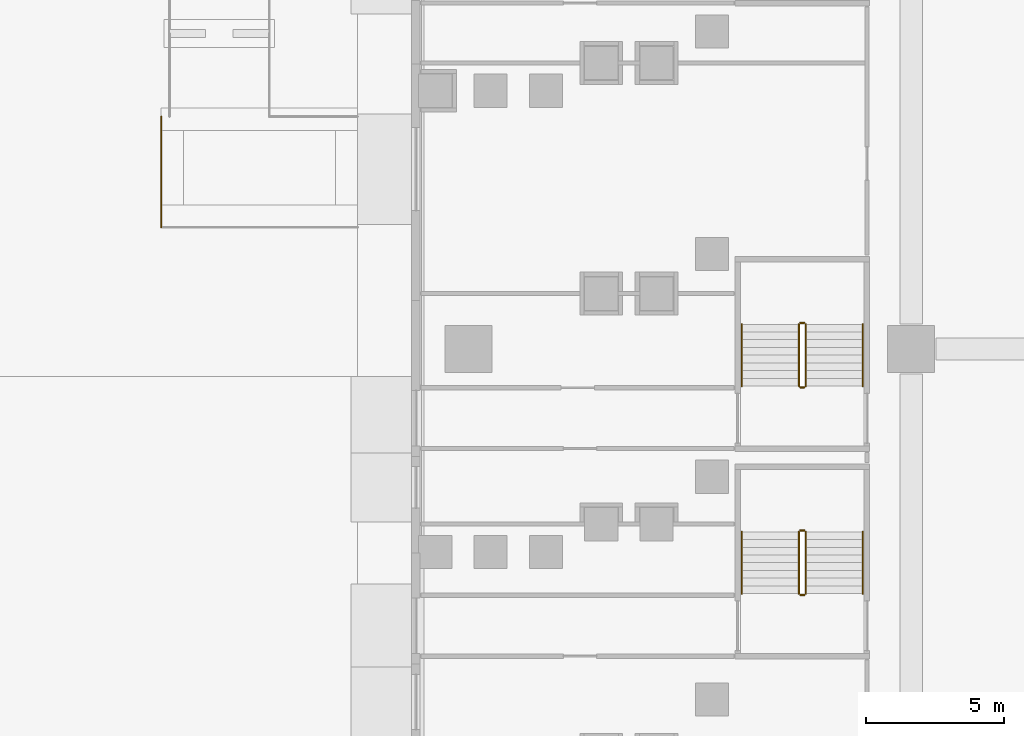
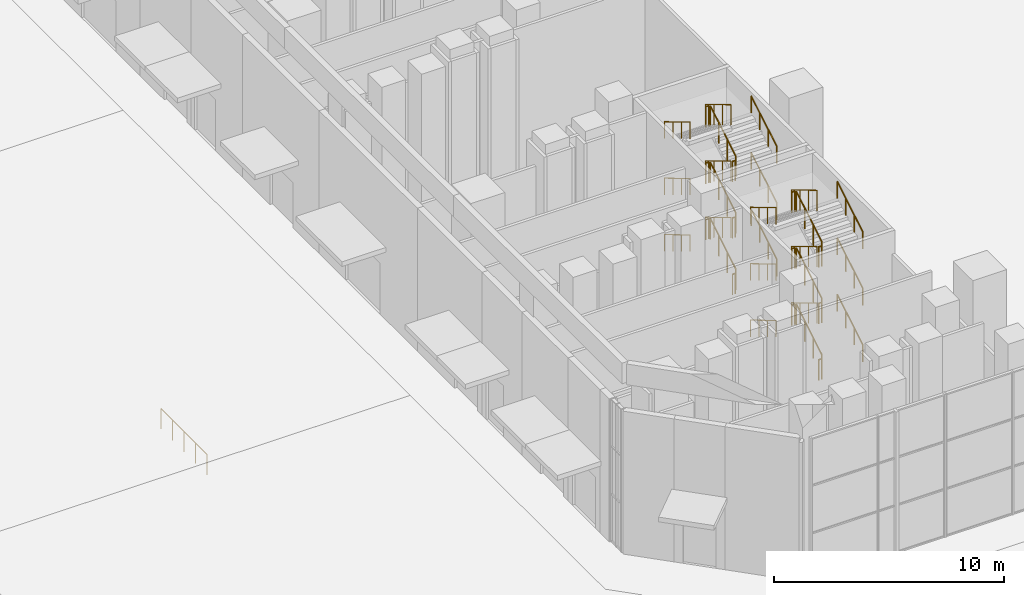
# One storey, part 36 of 51: 37 railings.
"""IFC4 building model written with IfcOpenShell, lengths in metres."""

from ifc_helpers import new_model, si_unit, direction, frame, origin, origin_2d, place, context, subcontext, project, spatial, circle, extrude, material, type_object, element, save


model = new_model("IFC4")

# Units and contexts
model_context = context("Model", 3, precision=1e-05, world=origin(), true_north=direction((0.0, 1.0)))
body_context = subcontext(model_context, "Body", "Model", "MODEL_VIEW")
ifc_project = project(units=[si_unit("LENGTHUNIT", "METRE"), si_unit("AREAUNIT", "SQUARE_METRE"), si_unit("VOLUMEUNIT", "CUBIC_METRE"), si_unit("PLANEANGLEUNIT", "RADIAN"), si_unit("MASSUNIT", "GRAM", prefix="KILO")], contexts=[model_context])

# Site, building, storey
site_placement = place(None, origin())
site = spatial("IfcSite", under=ifc_project, at=site_placement, CompositionType="ELEMENT")
building_placement = place(site_placement, origin())
building = spatial("IfcBuilding", under=site, at=building_placement, Name="Calabash Gate Tower", CompositionType="ELEMENT")
storey_placement = place(building_placement, origin())
storey = spatial("IfcBuildingStorey", under=building, at=storey_placement, Name="L00", CompositionType="ELEMENT", Elevation=0.0)

# Railings
ifc_material_1 = material(Name="Galvanised steel balusters", Category="steel")
railing_type_1 = type_object("IfcRailingType", Name="Ramp guard RG1100", PredefinedType="GUARDRAIL", material=ifc_material_1)
railing_1_placement = place(storey_placement, frame((-59.10009765625, -19.60009765625, -5.0)))
element("IfcRailing", 1, at=railing_1_placement, inside=storey, type_object=railing_type_1, Name="Exit Ramp landing guard", PredefinedType="GUARDRAIL", context=body_context, shape_type="SweptSolid", body=[
    extrude(circle(Radius=0.02392578125, at=origin_2d()), frame((0.0, 0.0, 1.076171875), z_axis=(0.0, 1.0, 0.0), x_axis=(-1.0, 0.0, 0.0)), (0.0, 0.0, 1.0), 4.0),
    extrude(circle(Radius=0.02099609375, at=origin_2d()), origin(), (0.0, 0.0, 1.0), 1.052001953125),
    extrude(circle(Radius=0.02099609375, at=origin_2d()), frame((0.0, 1.0, 0.0)), (0.0, 0.0, 1.0), 1.052001953125),
    extrude(circle(Radius=0.02099609375, at=origin_2d()), frame((0.0, 2.0, 0.0)), (0.0, 0.0, 1.0), 1.052001953125),
    extrude(circle(Radius=0.02099609375, at=origin_2d()), frame((0.0, 3.0, 0.0)), (0.0, 0.0, 1.0), 1.052001953125),
    extrude(circle(Radius=0.02099609375, at=origin_2d()), frame((0.0, 4.0, 0.0)), (0.0, 0.0, 1.0), 1.052001953125),
])
ifc_material_2 = material(Name="Black powder-coated steel balusters", Category="steel")
railing_type_2 = type_object("IfcRailingType", Name="Stair guard RL1100", PredefinedType="GUARDRAIL", material=ifc_material_2)
railing_2_placement = place(storey_placement, frame((-35.81005859375, -32.840087890625, 0.166748046875)))
element("IfcRailing", 2, at=railing_2_placement, inside=storey, type_object=railing_type_2, Name="L00 PS1 stair guard 1", PredefinedType="GUARDRAIL", context=body_context, shape_type="SweptSolid", body=[
    extrude(circle(Radius=0.02392578125, at=origin_2d()), frame((0.0, 0.0, 1.076171875), z_axis=(0.0, 0.8585185817, 0.512782453753), x_axis=(-1.0, 0.0, 0.0)), (0.0, 0.0, 1.0), 2.60009765625),
    extrude(circle(Radius=0.02099609375, at=origin_2d()), origin(), (0.0, 0.0, 1.0), 1.052001953125),
    extrude(circle(Radius=0.02099609375, at=origin_2d()), frame((0.0, 0.744140625, 0.4443359375)), (0.0, 0.0, 1.0), 1.052001953125),
    extrude(circle(Radius=0.02099609375, at=origin_2d()), frame((0.0, 1.488037109375, 0.888916015625)), (0.0, 0.0, 1.0), 1.052001953125),
    extrude(circle(Radius=0.02099609375, at=origin_2d()), frame((0.0, 2.232177734375, 1.333251953125)), (0.0, 0.0, 1.0), 1.052001953125),
])
railing_3_placement = place(storey_placement, frame((-35.860107421875, -30.55810546875, 1.5)))
element("IfcRailing", 3, at=railing_3_placement, inside=storey, type_object=railing_type_2, Name="L00 PS1 stair guard 2", PredefinedType="GUARDRAIL", context=body_context, shape_type="SweptSolid", body=[
    extrude(circle(Radius=0.02392578125, at=origin_2d()), frame((0.0, 0.0, 1.076171875), z_axis=(-1.0, 0.0, 0.0), x_axis=(0.0, -1.0, 0.0)), (0.0, 0.0, 1.0), 0.14990234375),
    extrude(circle(Radius=0.02099609375, at=origin_2d()), origin(), (0.0, 0.0, 1.0), 1.052001953125),
    extrude(circle(Radius=0.02099609375, at=origin_2d()), frame((-0.14990234375, 0.0, 0.0)), (0.0, 0.0, 1.0), 1.052001953125),
])
railing_4_placement = place(storey_placement, frame((-36.06005859375, -30.60791015625, 1.666748046875)))
element("IfcRailing", 4, at=railing_4_placement, inside=storey, type_object=railing_type_2, Name="L00 PS1 stair guard 3", PredefinedType="GUARDRAIL", context=body_context, shape_type="SweptSolid", body=[
    extrude(circle(Radius=0.02392578125, at=origin_2d()), frame((0.0, 0.0, 1.076171875), z_axis=(0.0, -0.8585185817, 0.512782453753), x_axis=(1.0, 0.0, 0.0)), (0.0, 0.0, 1.0), 2.60009765625),
    extrude(circle(Radius=0.02099609375, at=origin_2d()), origin(), (0.0, 0.0, 1.0), 1.052001953125),
    extrude(circle(Radius=0.02099609375, at=origin_2d()), frame((0.0, -0.744140625, 0.4443359375)), (0.0, 0.0, 1.0), 1.052001953125),
    extrude(circle(Radius=0.02099609375, at=origin_2d()), frame((0.0, -1.488037109375, 0.888916015625)), (0.0, 0.0, 1.0), 1.052001953125),
    extrude(circle(Radius=0.02099609375, at=origin_2d()), frame((0.0, -2.232177734375, 1.333251953125)), (0.0, 0.0, 1.0), 1.052001953125),
])
railing_5_placement = place(storey_placement, frame((-35.860107421875, -32.889892578125, 3.0)))
element("IfcRailing", 5, at=railing_5_placement, inside=storey, type_object=railing_type_2, Name="L00 PS1 stair guard 4", PredefinedType="GUARDRAIL", context=body_context, shape_type="SweptSolid", body=[
    extrude(circle(Radius=0.02392578125, at=origin_2d()), frame((0.0, 0.0, 1.076171875), z_axis=(-1.0, 0.0, 0.0), x_axis=(0.0, -1.0, 0.0)), (0.0, 0.0, 1.0), 0.14990234375),
    extrude(circle(Radius=0.02099609375, at=origin_2d()), origin(), (0.0, 0.0, 1.0), 1.052001953125),
    extrude(circle(Radius=0.02099609375, at=origin_2d()), frame((-0.14990234375, 0.0, 0.0)), (0.0, 0.0, 1.0), 1.052001953125),
])
railing_6_placement = place(storey_placement, frame((-35.81005859375, -32.840087890625, 3.166748046875)))
element("IfcRailing", 6, at=railing_6_placement, inside=storey, type_object=railing_type_2, Name="L00 PS1 stair guard 5", PredefinedType="GUARDRAIL", context=body_context, shape_type="SweptSolid", body=[
    extrude(circle(Radius=0.02392578125, at=origin_2d()), frame((0.0, 0.0, 1.076171875), z_axis=(0.0, 0.8585185817, 0.512782453753), x_axis=(-1.0, 0.0, 0.0)), (0.0, 0.0, 1.0), 2.60009765625),
    extrude(circle(Radius=0.02099609375, at=origin_2d()), origin(), (0.0, 0.0, 1.0), 1.052001953125),
    extrude(circle(Radius=0.02099609375, at=origin_2d()), frame((0.0, 0.744140625, 0.4443359375)), (0.0, 0.0, 1.0), 1.052001953125),
    extrude(circle(Radius=0.02099609375, at=origin_2d()), frame((0.0, 1.488037109375, 0.888916015625)), (0.0, 0.0, 1.0), 1.052001953125),
    extrude(circle(Radius=0.02099609375, at=origin_2d()), frame((0.0, 2.232177734375, 1.333251953125)), (0.0, 0.0, 1.0), 1.052001953125),
])
railing_7_placement = place(storey_placement, frame((-35.860107421875, -30.55810546875, 4.5)))
element("IfcRailing", 7, at=railing_7_placement, inside=storey, type_object=railing_type_2, Name="L00 PS1 stair guard 6", PredefinedType="GUARDRAIL", context=body_context, shape_type="SweptSolid", body=[
    extrude(circle(Radius=0.02392578125, at=origin_2d()), frame((0.0, 0.0, 1.076171875), z_axis=(-1.0, 0.0, 0.0), x_axis=(0.0, -1.0, 0.0)), (0.0, 0.0, 1.0), 0.14990234375),
    extrude(circle(Radius=0.02099609375, at=origin_2d()), origin(), (0.0, 0.0, 1.0), 1.052001953125),
    extrude(circle(Radius=0.02099609375, at=origin_2d()), frame((-0.14990234375, 0.0, 0.0)), (0.0, 0.0, 1.0), 1.052001953125),
])
railing_8_placement = place(storey_placement, frame((-36.06005859375, -30.60791015625, 4.666748046875)))
element("IfcRailing", 8, at=railing_8_placement, inside=storey, type_object=railing_type_2, Name="L00 PS1 stair guard 7", PredefinedType="GUARDRAIL", context=body_context, shape_type="SweptSolid", body=[
    extrude(circle(Radius=0.02392578125, at=origin_2d()), frame((0.0, 0.0, 1.076171875), z_axis=(0.0, -0.8585185817, 0.512782453753), x_axis=(1.0, 0.0, 0.0)), (0.0, 0.0, 1.0), 2.60009765625),
    extrude(circle(Radius=0.02099609375, at=origin_2d()), origin(), (0.0, 0.0, 1.0), 1.052001953125),
    extrude(circle(Radius=0.02099609375, at=origin_2d()), frame((0.0, -0.744140625, 0.4443359375)), (0.0, 0.0, 1.0), 1.052001953125),
    extrude(circle(Radius=0.02099609375, at=origin_2d()), frame((0.0, -1.488037109375, 0.888916015625)), (0.0, 0.0, 1.0), 1.052001953125),
    extrude(circle(Radius=0.02099609375, at=origin_2d()), frame((0.0, -2.232177734375, 1.333251953125)), (0.0, 0.0, 1.0), 1.052001953125),
])
railing_9_placement = place(storey_placement, frame((-35.860107421875, -32.889892578125, 6.0)))
element("IfcRailing", 9, at=railing_9_placement, inside=storey, type_object=railing_type_2, Name="L00 PS1 stair guard 8", PredefinedType="GUARDRAIL", context=body_context, shape_type="SweptSolid", body=[
    extrude(circle(Radius=0.02392578125, at=origin_2d()), frame((0.0, 0.0, 1.076171875), z_axis=(-1.0, 0.0, 0.0), x_axis=(0.0, -1.0, 0.0)), (0.0, 0.0, 1.0), 0.14990234375),
    extrude(circle(Radius=0.02099609375, at=origin_2d()), origin(), (0.0, 0.0, 1.0), 1.052001953125),
    extrude(circle(Radius=0.02099609375, at=origin_2d()), frame((-0.14990234375, 0.0, 0.0)), (0.0, 0.0, 1.0), 1.052001953125),
])
railing_10_placement = place(storey_placement, frame((-35.81005859375, -32.840087890625, 6.166748046875)))
element("IfcRailing", 10, at=railing_10_placement, inside=storey, type_object=railing_type_2, Name="L00 PS1 stair guard 9", PredefinedType="GUARDRAIL", context=body_context, shape_type="SweptSolid", body=[
    extrude(circle(Radius=0.02392578125, at=origin_2d()), frame((0.0, 0.0, 1.076171875), z_axis=(0.0, 0.8585185817, 0.512782453753), x_axis=(-1.0, 0.0, 0.0)), (0.0, 0.0, 1.0), 2.60009765625),
    extrude(circle(Radius=0.02099609375, at=origin_2d()), origin(), (0.0, 0.0, 1.0), 1.052001953125),
    extrude(circle(Radius=0.02099609375, at=origin_2d()), frame((0.0, 0.744140625, 0.4443359375)), (0.0, 0.0, 1.0), 1.052001953125),
    extrude(circle(Radius=0.02099609375, at=origin_2d()), frame((0.0, 1.488037109375, 0.888916015625)), (0.0, 0.0, 1.0), 1.052001953125),
    extrude(circle(Radius=0.02099609375, at=origin_2d()), frame((0.0, 2.232177734375, 1.333251953125)), (0.0, 0.0, 1.0), 1.052001953125),
])
railing_11_placement = place(storey_placement, frame((-35.860107421875, -30.55810546875, 7.5)))
element("IfcRailing", 11, at=railing_11_placement, inside=storey, type_object=railing_type_2, Name="L00 PS1 stair guard 10", PredefinedType="GUARDRAIL", context=body_context, shape_type="SweptSolid", body=[
    extrude(circle(Radius=0.02392578125, at=origin_2d()), frame((0.0, 0.0, 1.076171875), z_axis=(-1.0, 0.0, 0.0), x_axis=(0.0, -1.0, 0.0)), (0.0, 0.0, 1.0), 0.14990234375),
    extrude(circle(Radius=0.02099609375, at=origin_2d()), origin(), (0.0, 0.0, 1.0), 1.052001953125),
    extrude(circle(Radius=0.02099609375, at=origin_2d()), frame((-0.14990234375, 0.0, 0.0)), (0.0, 0.0, 1.0), 1.052001953125),
])
railing_12_placement = place(storey_placement, frame((-36.06005859375, -30.60791015625, 7.666748046875)))
element("IfcRailing", 12, at=railing_12_placement, inside=storey, type_object=railing_type_2, Name="L00 PS1 stair guard 11", PredefinedType="GUARDRAIL", context=body_context, shape_type="SweptSolid", body=[
    extrude(circle(Radius=0.02392578125, at=origin_2d()), frame((0.0, 0.0, 1.076171875), z_axis=(0.0, -0.8585185817, 0.512782453753), x_axis=(1.0, 0.0, 0.0)), (0.0, 0.0, 1.0), 2.60009765625),
    extrude(circle(Radius=0.02099609375, at=origin_2d()), origin(), (0.0, 0.0, 1.0), 1.052001953125),
    extrude(circle(Radius=0.02099609375, at=origin_2d()), frame((0.0, -0.744140625, 0.4443359375)), (0.0, 0.0, 1.0), 1.052001953125),
    extrude(circle(Radius=0.02099609375, at=origin_2d()), frame((0.0, -1.488037109375, 0.888916015625)), (0.0, 0.0, 1.0), 1.052001953125),
    extrude(circle(Radius=0.02099609375, at=origin_2d()), frame((0.0, -2.232177734375, 1.333251953125)), (0.0, 0.0, 1.0), 1.052001953125),
])
railing_13_placement = place(storey_placement, frame((-35.860107421875, -32.889892578125, 0.0)))
element("IfcRailing", 13, at=railing_13_placement, inside=storey, type_object=railing_type_2, Name="L00 PS1 stair guard 12", PredefinedType="GUARDRAIL", context=body_context, shape_type="SweptSolid", body=[
    extrude(circle(Radius=0.02392578125, at=origin_2d()), frame((0.0, 0.0, 1.076171875), z_axis=(-1.0, 0.0, 0.0), x_axis=(0.0, -1.0, 0.0)), (0.0, 0.0, 1.0), 0.14990234375),
    extrude(circle(Radius=0.02099609375, at=origin_2d()), origin(), (0.0, 0.0, 1.0), 1.052001953125),
    extrude(circle(Radius=0.02099609375, at=origin_2d()), frame((-0.14990234375, 0.0, 0.0)), (0.0, 0.0, 1.0), 1.052001953125),
])
railing_14_placement = place(storey_placement, frame((-35.81005859375, -25.340087890625, 0.166748046875)))
element("IfcRailing", 14, at=railing_14_placement, inside=storey, type_object=railing_type_2, Name="L00 PS2 stair guard 1", PredefinedType="GUARDRAIL", context=body_context, shape_type="SweptSolid", body=[
    extrude(circle(Radius=0.02392578125, at=origin_2d()), frame((0.0, 0.0, 1.076171875), z_axis=(0.0, 0.8585185817, 0.512782453753), x_axis=(-1.0, 0.0, 0.0)), (0.0, 0.0, 1.0), 2.60009765625),
    extrude(circle(Radius=0.02099609375, at=origin_2d()), origin(), (0.0, 0.0, 1.0), 1.052001953125),
    extrude(circle(Radius=0.02099609375, at=origin_2d()), frame((0.0, 0.744140625, 0.4443359375)), (0.0, 0.0, 1.0), 1.052001953125),
    extrude(circle(Radius=0.02099609375, at=origin_2d()), frame((0.0, 1.488037109375, 0.888916015625)), (0.0, 0.0, 1.0), 1.052001953125),
    extrude(circle(Radius=0.02099609375, at=origin_2d()), frame((0.0, 2.232177734375, 1.333251953125)), (0.0, 0.0, 1.0), 1.052001953125),
])
railing_15_placement = place(storey_placement, frame((-35.860107421875, -23.05810546875, 1.5)))
element("IfcRailing", 15, at=railing_15_placement, inside=storey, type_object=railing_type_2, Name="L00 PS2 stair guard 2", PredefinedType="GUARDRAIL", context=body_context, shape_type="SweptSolid", body=[
    extrude(circle(Radius=0.02392578125, at=origin_2d()), frame((0.0, 0.0, 1.076171875), z_axis=(-1.0, 0.0, 0.0), x_axis=(0.0, -1.0, 0.0)), (0.0, 0.0, 1.0), 0.14990234375),
    extrude(circle(Radius=0.02099609375, at=origin_2d()), origin(), (0.0, 0.0, 1.0), 1.052001953125),
    extrude(circle(Radius=0.02099609375, at=origin_2d()), frame((-0.14990234375, 0.0, 0.0)), (0.0, 0.0, 1.0), 1.052001953125),
])
railing_16_placement = place(storey_placement, frame((-36.06005859375, -23.10791015625, 1.666748046875)))
element("IfcRailing", 16, at=railing_16_placement, inside=storey, type_object=railing_type_2, Name="L00 PS2 stair guard 3", PredefinedType="GUARDRAIL", context=body_context, shape_type="SweptSolid", body=[
    extrude(circle(Radius=0.02392578125, at=origin_2d()), frame((0.0, 0.0, 1.076171875), z_axis=(0.0, -0.8585185817, 0.512782453753), x_axis=(1.0, 0.0, 0.0)), (0.0, 0.0, 1.0), 2.60009765625),
    extrude(circle(Radius=0.02099609375, at=origin_2d()), origin(), (0.0, 0.0, 1.0), 1.052001953125),
    extrude(circle(Radius=0.02099609375, at=origin_2d()), frame((0.0, -0.744140625, 0.4443359375)), (0.0, 0.0, 1.0), 1.052001953125),
    extrude(circle(Radius=0.02099609375, at=origin_2d()), frame((0.0, -1.488037109375, 0.888916015625)), (0.0, 0.0, 1.0), 1.052001953125),
    extrude(circle(Radius=0.02099609375, at=origin_2d()), frame((0.0, -2.232177734375, 1.333251953125)), (0.0, 0.0, 1.0), 1.052001953125),
])
railing_17_placement = place(storey_placement, frame((-35.860107421875, -25.389892578125, 3.0)))
element("IfcRailing", 17, at=railing_17_placement, inside=storey, type_object=railing_type_2, Name="L00 PS2 stair guard 4", PredefinedType="GUARDRAIL", context=body_context, shape_type="SweptSolid", body=[
    extrude(circle(Radius=0.02392578125, at=origin_2d()), frame((0.0, 0.0, 1.076171875), z_axis=(-1.0, 0.0, 0.0), x_axis=(0.0, -1.0, 0.0)), (0.0, 0.0, 1.0), 0.14990234375),
    extrude(circle(Radius=0.02099609375, at=origin_2d()), origin(), (0.0, 0.0, 1.0), 1.052001953125),
    extrude(circle(Radius=0.02099609375, at=origin_2d()), frame((-0.14990234375, 0.0, 0.0)), (0.0, 0.0, 1.0), 1.052001953125),
])
railing_18_placement = place(storey_placement, frame((-35.81005859375, -25.340087890625, 3.166748046875)))
element("IfcRailing", 18, at=railing_18_placement, inside=storey, type_object=railing_type_2, Name="L00 PS2 stair guard 5", PredefinedType="GUARDRAIL", context=body_context, shape_type="SweptSolid", body=[
    extrude(circle(Radius=0.02392578125, at=origin_2d()), frame((0.0, 0.0, 1.076171875), z_axis=(0.0, 0.8585185817, 0.512782453753), x_axis=(-1.0, 0.0, 0.0)), (0.0, 0.0, 1.0), 2.60009765625),
    extrude(circle(Radius=0.02099609375, at=origin_2d()), origin(), (0.0, 0.0, 1.0), 1.052001953125),
    extrude(circle(Radius=0.02099609375, at=origin_2d()), frame((0.0, 0.744140625, 0.4443359375)), (0.0, 0.0, 1.0), 1.052001953125),
    extrude(circle(Radius=0.02099609375, at=origin_2d()), frame((0.0, 1.488037109375, 0.888916015625)), (0.0, 0.0, 1.0), 1.052001953125),
    extrude(circle(Radius=0.02099609375, at=origin_2d()), frame((0.0, 2.232177734375, 1.333251953125)), (0.0, 0.0, 1.0), 1.052001953125),
])
railing_19_placement = place(storey_placement, frame((-35.860107421875, -23.05810546875, 4.5)))
element("IfcRailing", 19, at=railing_19_placement, inside=storey, type_object=railing_type_2, Name="L00 PS2 stair guard 6", PredefinedType="GUARDRAIL", context=body_context, shape_type="SweptSolid", body=[
    extrude(circle(Radius=0.02392578125, at=origin_2d()), frame((0.0, 0.0, 1.076171875), z_axis=(-1.0, 0.0, 0.0), x_axis=(0.0, -1.0, 0.0)), (0.0, 0.0, 1.0), 0.14990234375),
    extrude(circle(Radius=0.02099609375, at=origin_2d()), origin(), (0.0, 0.0, 1.0), 1.052001953125),
    extrude(circle(Radius=0.02099609375, at=origin_2d()), frame((-0.14990234375, 0.0, 0.0)), (0.0, 0.0, 1.0), 1.052001953125),
])
railing_20_placement = place(storey_placement, frame((-36.06005859375, -23.10791015625, 4.666748046875)))
element("IfcRailing", 20, at=railing_20_placement, inside=storey, type_object=railing_type_2, Name="L00 PS2 stair guard 7", PredefinedType="GUARDRAIL", context=body_context, shape_type="SweptSolid", body=[
    extrude(circle(Radius=0.02392578125, at=origin_2d()), frame((0.0, 0.0, 1.076171875), z_axis=(0.0, -0.8585185817, 0.512782453753), x_axis=(1.0, 0.0, 0.0)), (0.0, 0.0, 1.0), 2.60009765625),
    extrude(circle(Radius=0.02099609375, at=origin_2d()), origin(), (0.0, 0.0, 1.0), 1.052001953125),
    extrude(circle(Radius=0.02099609375, at=origin_2d()), frame((0.0, -0.744140625, 0.4443359375)), (0.0, 0.0, 1.0), 1.052001953125),
    extrude(circle(Radius=0.02099609375, at=origin_2d()), frame((0.0, -1.488037109375, 0.888916015625)), (0.0, 0.0, 1.0), 1.052001953125),
    extrude(circle(Radius=0.02099609375, at=origin_2d()), frame((0.0, -2.232177734375, 1.333251953125)), (0.0, 0.0, 1.0), 1.052001953125),
])
railing_21_placement = place(storey_placement, frame((-35.860107421875, -25.389892578125, 6.0)))
element("IfcRailing", 21, at=railing_21_placement, inside=storey, type_object=railing_type_2, Name="L00 PS2 stair guard 8", PredefinedType="GUARDRAIL", context=body_context, shape_type="SweptSolid", body=[
    extrude(circle(Radius=0.02392578125, at=origin_2d()), frame((0.0, 0.0, 1.076171875), z_axis=(-1.0, 0.0, 0.0), x_axis=(0.0, -1.0, 0.0)), (0.0, 0.0, 1.0), 0.14990234375),
    extrude(circle(Radius=0.02099609375, at=origin_2d()), origin(), (0.0, 0.0, 1.0), 1.052001953125),
    extrude(circle(Radius=0.02099609375, at=origin_2d()), frame((-0.14990234375, 0.0, 0.0)), (0.0, 0.0, 1.0), 1.052001953125),
])
railing_22_placement = place(storey_placement, frame((-35.81005859375, -25.340087890625, 6.166748046875)))
element("IfcRailing", 22, at=railing_22_placement, inside=storey, type_object=railing_type_2, Name="L00 PS2 stair guard 9", PredefinedType="GUARDRAIL", context=body_context, shape_type="SweptSolid", body=[
    extrude(circle(Radius=0.02392578125, at=origin_2d()), frame((0.0, 0.0, 1.076171875), z_axis=(0.0, 0.8585185817, 0.512782453753), x_axis=(-1.0, 0.0, 0.0)), (0.0, 0.0, 1.0), 2.60009765625),
    extrude(circle(Radius=0.02099609375, at=origin_2d()), origin(), (0.0, 0.0, 1.0), 1.052001953125),
    extrude(circle(Radius=0.02099609375, at=origin_2d()), frame((0.0, 0.744140625, 0.4443359375)), (0.0, 0.0, 1.0), 1.052001953125),
    extrude(circle(Radius=0.02099609375, at=origin_2d()), frame((0.0, 1.488037109375, 0.888916015625)), (0.0, 0.0, 1.0), 1.052001953125),
    extrude(circle(Radius=0.02099609375, at=origin_2d()), frame((0.0, 2.232177734375, 1.333251953125)), (0.0, 0.0, 1.0), 1.052001953125),
])
railing_23_placement = place(storey_placement, frame((-35.860107421875, -23.05810546875, 7.5)))
element("IfcRailing", 23, at=railing_23_placement, inside=storey, type_object=railing_type_2, Name="L00 PS2 stair guard 10", PredefinedType="GUARDRAIL", context=body_context, shape_type="SweptSolid", body=[
    extrude(circle(Radius=0.02392578125, at=origin_2d()), frame((0.0, 0.0, 1.076171875), z_axis=(-1.0, 0.0, 0.0), x_axis=(0.0, -1.0, 0.0)), (0.0, 0.0, 1.0), 0.14990234375),
    extrude(circle(Radius=0.02099609375, at=origin_2d()), origin(), (0.0, 0.0, 1.0), 1.052001953125),
    extrude(circle(Radius=0.02099609375, at=origin_2d()), frame((-0.14990234375, 0.0, 0.0)), (0.0, 0.0, 1.0), 1.052001953125),
])
railing_24_placement = place(storey_placement, frame((-36.06005859375, -23.10791015625, 7.666748046875)))
element("IfcRailing", 24, at=railing_24_placement, inside=storey, type_object=railing_type_2, Name="L00 PS2 stair guard 11", PredefinedType="GUARDRAIL", context=body_context, shape_type="SweptSolid", body=[
    extrude(circle(Radius=0.02392578125, at=origin_2d()), frame((0.0, 0.0, 1.076171875), z_axis=(0.0, -0.8585185817, 0.512782453753), x_axis=(1.0, 0.0, 0.0)), (0.0, 0.0, 1.0), 2.60009765625),
    extrude(circle(Radius=0.02099609375, at=origin_2d()), origin(), (0.0, 0.0, 1.0), 1.052001953125),
    extrude(circle(Radius=0.02099609375, at=origin_2d()), frame((0.0, -0.744140625, 0.4443359375)), (0.0, 0.0, 1.0), 1.052001953125),
    extrude(circle(Radius=0.02099609375, at=origin_2d()), frame((0.0, -1.488037109375, 0.888916015625)), (0.0, 0.0, 1.0), 1.052001953125),
    extrude(circle(Radius=0.02099609375, at=origin_2d()), frame((0.0, -2.232177734375, 1.333251953125)), (0.0, 0.0, 1.0), 1.052001953125),
])
railing_25_placement = place(storey_placement, frame((-35.860107421875, -25.389892578125, 0.0)))
element("IfcRailing", 25, at=railing_25_placement, inside=storey, type_object=railing_type_2, Name="L00 PS2 stair guard 12", PredefinedType="GUARDRAIL", context=body_context, shape_type="SweptSolid", body=[
    extrude(circle(Radius=0.02392578125, at=origin_2d()), frame((0.0, 0.0, 1.076171875), z_axis=(-1.0, 0.0, 0.0), x_axis=(0.0, -1.0, 0.0)), (0.0, 0.0, 1.0), 0.14990234375),
    extrude(circle(Radius=0.02099609375, at=origin_2d()), origin(), (0.0, 0.0, 1.0), 1.052001953125),
    extrude(circle(Radius=0.02099609375, at=origin_2d()), frame((-0.14990234375, 0.0, 0.0)), (0.0, 0.0, 1.0), 1.052001953125),
])
ifc_material_3 = material(Name="Black powder-coated steel tube 48 mm", Category="steel")
railing_type_3 = type_object("IfcRailingType", Name="Stair handrail RL900", PredefinedType="HANDRAIL", material=ifc_material_3)
railing_26_placement = place(storey_placement, frame((-33.75, -32.840087890625, 0.166748046875)))
element("IfcRailing", 26, at=railing_26_placement, inside=storey, type_object=railing_type_3, Name="L00 PS1 stair handrail 1", PredefinedType="HANDRAIL", context=body_context, shape_type="SweptSolid", body=[
    extrude(circle(Radius=0.02392578125, at=origin_2d()), frame((0.0, 0.0, 0.8759765625), z_axis=(0.0, 0.8585185817, 0.512782453753), x_axis=(-1.0, 0.0, 0.0)), (0.0, 0.0, 1.0), 2.60009765625),
    extrude(circle(Radius=0.02099609375, at=origin_2d()), origin(), (0.0, 0.0, 1.0), 0.851806640625),
    extrude(circle(Radius=0.02099609375, at=origin_2d()), frame((0.0, 0.744140625, 0.4443359375)), (0.0, 0.0, 1.0), 0.851806640625),
    extrude(circle(Radius=0.02099609375, at=origin_2d()), frame((0.0, 1.488037109375, 0.888916015625)), (0.0, 0.0, 1.0), 0.851806640625),
    extrude(circle(Radius=0.02099609375, at=origin_2d()), frame((0.0, 2.232177734375, 1.333251953125)), (0.0, 0.0, 1.0), 0.851806640625),
])
railing_27_placement = place(storey_placement, frame((-38.1201171875, -30.60791015625, 1.666748046875)))
element("IfcRailing", 27, at=railing_27_placement, inside=storey, type_object=railing_type_3, Name="L00 PS1 stair handrail 2", PredefinedType="HANDRAIL", context=body_context, shape_type="SweptSolid", body=[
    extrude(circle(Radius=0.02392578125, at=origin_2d()), frame((0.0, 0.0, 0.8759765625), z_axis=(0.0, -0.8585185817, 0.512782453753), x_axis=(1.0, 0.0, 0.0)), (0.0, 0.0, 1.0), 2.60009765625),
    extrude(circle(Radius=0.02099609375, at=origin_2d()), origin(), (0.0, 0.0, 1.0), 0.851806640625),
    extrude(circle(Radius=0.02099609375, at=origin_2d()), frame((0.0, -0.744140625, 0.4443359375)), (0.0, 0.0, 1.0), 0.851806640625),
    extrude(circle(Radius=0.02099609375, at=origin_2d()), frame((0.0, -1.488037109375, 0.888916015625)), (0.0, 0.0, 1.0), 0.851806640625),
    extrude(circle(Radius=0.02099609375, at=origin_2d()), frame((0.0, -2.232177734375, 1.333251953125)), (0.0, 0.0, 1.0), 0.851806640625),
])
railing_28_placement = place(storey_placement, frame((-33.75, -32.840087890625, 3.166748046875)))
element("IfcRailing", 28, at=railing_28_placement, inside=storey, type_object=railing_type_3, Name="L00 PS1 stair handrail 3", PredefinedType="HANDRAIL", context=body_context, shape_type="SweptSolid", body=[
    extrude(circle(Radius=0.02392578125, at=origin_2d()), frame((0.0, 0.0, 0.8759765625), z_axis=(0.0, 0.8585185817, 0.512782453753), x_axis=(-1.0, 0.0, 0.0)), (0.0, 0.0, 1.0), 2.60009765625),
    extrude(circle(Radius=0.02099609375, at=origin_2d()), origin(), (0.0, 0.0, 1.0), 0.851806640625),
    extrude(circle(Radius=0.02099609375, at=origin_2d()), frame((0.0, 0.744140625, 0.4443359375)), (0.0, 0.0, 1.0), 0.851806640625),
    extrude(circle(Radius=0.02099609375, at=origin_2d()), frame((0.0, 1.488037109375, 0.888916015625)), (0.0, 0.0, 1.0), 0.851806640625),
    extrude(circle(Radius=0.02099609375, at=origin_2d()), frame((0.0, 2.232177734375, 1.333251953125)), (0.0, 0.0, 1.0), 0.851806640625),
])
railing_29_placement = place(storey_placement, frame((-38.1201171875, -30.60791015625, 4.666748046875)))
element("IfcRailing", 29, at=railing_29_placement, inside=storey, type_object=railing_type_3, Name="L00 PS1 stair handrail 4", PredefinedType="HANDRAIL", context=body_context, shape_type="SweptSolid", body=[
    extrude(circle(Radius=0.02392578125, at=origin_2d()), frame((0.0, 0.0, 0.8759765625), z_axis=(0.0, -0.8585185817, 0.512782453753), x_axis=(1.0, 0.0, 0.0)), (0.0, 0.0, 1.0), 2.60009765625),
    extrude(circle(Radius=0.02099609375, at=origin_2d()), origin(), (0.0, 0.0, 1.0), 0.851806640625),
    extrude(circle(Radius=0.02099609375, at=origin_2d()), frame((0.0, -0.744140625, 0.4443359375)), (0.0, 0.0, 1.0), 0.851806640625),
    extrude(circle(Radius=0.02099609375, at=origin_2d()), frame((0.0, -1.488037109375, 0.888916015625)), (0.0, 0.0, 1.0), 0.851806640625),
    extrude(circle(Radius=0.02099609375, at=origin_2d()), frame((0.0, -2.232177734375, 1.333251953125)), (0.0, 0.0, 1.0), 0.851806640625),
])
railing_30_placement = place(storey_placement, frame((-33.75, -32.840087890625, 6.166748046875)))
element("IfcRailing", 30, at=railing_30_placement, inside=storey, type_object=railing_type_3, Name="L00 PS1 stair handrail 5", PredefinedType="HANDRAIL", context=body_context, shape_type="SweptSolid", body=[
    extrude(circle(Radius=0.02392578125, at=origin_2d()), frame((0.0, 0.0, 0.8759765625), z_axis=(0.0, 0.8585185817, 0.512782453753), x_axis=(-1.0, 0.0, 0.0)), (0.0, 0.0, 1.0), 2.60009765625),
    extrude(circle(Radius=0.02099609375, at=origin_2d()), origin(), (0.0, 0.0, 1.0), 0.851806640625),
    extrude(circle(Radius=0.02099609375, at=origin_2d()), frame((0.0, 0.744140625, 0.4443359375)), (0.0, 0.0, 1.0), 0.851806640625),
    extrude(circle(Radius=0.02099609375, at=origin_2d()), frame((0.0, 1.488037109375, 0.888916015625)), (0.0, 0.0, 1.0), 0.851806640625),
    extrude(circle(Radius=0.02099609375, at=origin_2d()), frame((0.0, 2.232177734375, 1.333251953125)), (0.0, 0.0, 1.0), 0.851806640625),
])
railing_31_placement = place(storey_placement, frame((-38.1201171875, -30.60791015625, 7.666748046875)))
element("IfcRailing", 31, at=railing_31_placement, inside=storey, type_object=railing_type_3, Name="L00 PS1 stair handrail 6", PredefinedType="HANDRAIL", context=body_context, shape_type="SweptSolid", body=[
    extrude(circle(Radius=0.02392578125, at=origin_2d()), frame((0.0, 0.0, 0.8759765625), z_axis=(0.0, -0.8585185817, 0.512782453753), x_axis=(1.0, 0.0, 0.0)), (0.0, 0.0, 1.0), 2.60009765625),
    extrude(circle(Radius=0.02099609375, at=origin_2d()), origin(), (0.0, 0.0, 1.0), 0.851806640625),
    extrude(circle(Radius=0.02099609375, at=origin_2d()), frame((0.0, -0.744140625, 0.4443359375)), (0.0, 0.0, 1.0), 0.851806640625),
    extrude(circle(Radius=0.02099609375, at=origin_2d()), frame((0.0, -1.488037109375, 0.888916015625)), (0.0, 0.0, 1.0), 0.851806640625),
    extrude(circle(Radius=0.02099609375, at=origin_2d()), frame((0.0, -2.232177734375, 1.333251953125)), (0.0, 0.0, 1.0), 0.851806640625),
])
railing_32_placement = place(storey_placement, frame((-33.75, -25.340087890625, 0.166748046875)))
element("IfcRailing", 32, at=railing_32_placement, inside=storey, type_object=railing_type_3, Name="L00 PS2 stair handrail 1", PredefinedType="HANDRAIL", context=body_context, shape_type="SweptSolid", body=[
    extrude(circle(Radius=0.02392578125, at=origin_2d()), frame((0.0, 0.0, 0.8759765625), z_axis=(0.0, 0.8585185817, 0.512782453753), x_axis=(-1.0, 0.0, 0.0)), (0.0, 0.0, 1.0), 2.60009765625),
    extrude(circle(Radius=0.02099609375, at=origin_2d()), origin(), (0.0, 0.0, 1.0), 0.851806640625),
    extrude(circle(Radius=0.02099609375, at=origin_2d()), frame((0.0, 0.744140625, 0.4443359375)), (0.0, 0.0, 1.0), 0.851806640625),
    extrude(circle(Radius=0.02099609375, at=origin_2d()), frame((0.0, 1.488037109375, 0.888916015625)), (0.0, 0.0, 1.0), 0.851806640625),
    extrude(circle(Radius=0.02099609375, at=origin_2d()), frame((0.0, 2.232177734375, 1.333251953125)), (0.0, 0.0, 1.0), 0.851806640625),
])
railing_33_placement = place(storey_placement, frame((-38.1201171875, -23.10791015625, 1.666748046875)))
element("IfcRailing", 33, at=railing_33_placement, inside=storey, type_object=railing_type_3, Name="L00 PS2 stair handrail 2", PredefinedType="HANDRAIL", context=body_context, shape_type="SweptSolid", body=[
    extrude(circle(Radius=0.02392578125, at=origin_2d()), frame((0.0, 0.0, 0.8759765625), z_axis=(0.0, -0.8585185817, 0.512782453753), x_axis=(1.0, 0.0, 0.0)), (0.0, 0.0, 1.0), 2.60009765625),
    extrude(circle(Radius=0.02099609375, at=origin_2d()), origin(), (0.0, 0.0, 1.0), 0.851806640625),
    extrude(circle(Radius=0.02099609375, at=origin_2d()), frame((0.0, -0.744140625, 0.4443359375)), (0.0, 0.0, 1.0), 0.851806640625),
    extrude(circle(Radius=0.02099609375, at=origin_2d()), frame((0.0, -1.488037109375, 0.888916015625)), (0.0, 0.0, 1.0), 0.851806640625),
    extrude(circle(Radius=0.02099609375, at=origin_2d()), frame((0.0, -2.232177734375, 1.333251953125)), (0.0, 0.0, 1.0), 0.851806640625),
])
railing_34_placement = place(storey_placement, frame((-33.75, -25.340087890625, 3.166748046875)))
element("IfcRailing", 34, at=railing_34_placement, inside=storey, type_object=railing_type_3, Name="L00 PS2 stair handrail 3", PredefinedType="HANDRAIL", context=body_context, shape_type="SweptSolid", body=[
    extrude(circle(Radius=0.02392578125, at=origin_2d()), frame((0.0, 0.0, 0.8759765625), z_axis=(0.0, 0.8585185817, 0.512782453753), x_axis=(-1.0, 0.0, 0.0)), (0.0, 0.0, 1.0), 2.60009765625),
    extrude(circle(Radius=0.02099609375, at=origin_2d()), origin(), (0.0, 0.0, 1.0), 0.851806640625),
    extrude(circle(Radius=0.02099609375, at=origin_2d()), frame((0.0, 0.744140625, 0.4443359375)), (0.0, 0.0, 1.0), 0.851806640625),
    extrude(circle(Radius=0.02099609375, at=origin_2d()), frame((0.0, 1.488037109375, 0.888916015625)), (0.0, 0.0, 1.0), 0.851806640625),
    extrude(circle(Radius=0.02099609375, at=origin_2d()), frame((0.0, 2.232177734375, 1.333251953125)), (0.0, 0.0, 1.0), 0.851806640625),
])
railing_35_placement = place(storey_placement, frame((-38.1201171875, -23.10791015625, 4.666748046875)))
element("IfcRailing", 35, at=railing_35_placement, inside=storey, type_object=railing_type_3, Name="L00 PS2 stair handrail 4", PredefinedType="HANDRAIL", context=body_context, shape_type="SweptSolid", body=[
    extrude(circle(Radius=0.02392578125, at=origin_2d()), frame((0.0, 0.0, 0.8759765625), z_axis=(0.0, -0.8585185817, 0.512782453753), x_axis=(1.0, 0.0, 0.0)), (0.0, 0.0, 1.0), 2.60009765625),
    extrude(circle(Radius=0.02099609375, at=origin_2d()), origin(), (0.0, 0.0, 1.0), 0.851806640625),
    extrude(circle(Radius=0.02099609375, at=origin_2d()), frame((0.0, -0.744140625, 0.4443359375)), (0.0, 0.0, 1.0), 0.851806640625),
    extrude(circle(Radius=0.02099609375, at=origin_2d()), frame((0.0, -1.488037109375, 0.888916015625)), (0.0, 0.0, 1.0), 0.851806640625),
    extrude(circle(Radius=0.02099609375, at=origin_2d()), frame((0.0, -2.232177734375, 1.333251953125)), (0.0, 0.0, 1.0), 0.851806640625),
])
railing_36_placement = place(storey_placement, frame((-33.75, -25.340087890625, 6.166748046875)))
element("IfcRailing", 36, at=railing_36_placement, inside=storey, type_object=railing_type_3, Name="L00 PS2 stair handrail 5", PredefinedType="HANDRAIL", context=body_context, shape_type="SweptSolid", body=[
    extrude(circle(Radius=0.02392578125, at=origin_2d()), frame((0.0, 0.0, 0.8759765625), z_axis=(0.0, 0.8585185817, 0.512782453753), x_axis=(-1.0, 0.0, 0.0)), (0.0, 0.0, 1.0), 2.60009765625),
    extrude(circle(Radius=0.02099609375, at=origin_2d()), origin(), (0.0, 0.0, 1.0), 0.851806640625),
    extrude(circle(Radius=0.02099609375, at=origin_2d()), frame((0.0, 0.744140625, 0.4443359375)), (0.0, 0.0, 1.0), 0.851806640625),
    extrude(circle(Radius=0.02099609375, at=origin_2d()), frame((0.0, 1.488037109375, 0.888916015625)), (0.0, 0.0, 1.0), 0.851806640625),
    extrude(circle(Radius=0.02099609375, at=origin_2d()), frame((0.0, 2.232177734375, 1.333251953125)), (0.0, 0.0, 1.0), 0.851806640625),
])
railing_37_placement = place(storey_placement, frame((-38.1201171875, -23.10791015625, 7.666748046875)))
element("IfcRailing", 37, at=railing_37_placement, inside=storey, type_object=railing_type_3, Name="L00 PS2 stair handrail 6", PredefinedType="HANDRAIL", context=body_context, shape_type="SweptSolid", body=[
    extrude(circle(Radius=0.02392578125, at=origin_2d()), frame((0.0, 0.0, 0.8759765625), z_axis=(0.0, -0.8585185817, 0.512782453753), x_axis=(1.0, 0.0, 0.0)), (0.0, 0.0, 1.0), 2.60009765625),
    extrude(circle(Radius=0.02099609375, at=origin_2d()), origin(), (0.0, 0.0, 1.0), 0.851806640625),
    extrude(circle(Radius=0.02099609375, at=origin_2d()), frame((0.0, -0.744140625, 0.4443359375)), (0.0, 0.0, 1.0), 0.851806640625),
    extrude(circle(Radius=0.02099609375, at=origin_2d()), frame((0.0, -1.488037109375, 0.888916015625)), (0.0, 0.0, 1.0), 0.851806640625),
    extrude(circle(Radius=0.02099609375, at=origin_2d()), frame((0.0, -2.232177734375, 1.333251953125)), (0.0, 0.0, 1.0), 0.851806640625),
])

save(model, "model.ifc")
